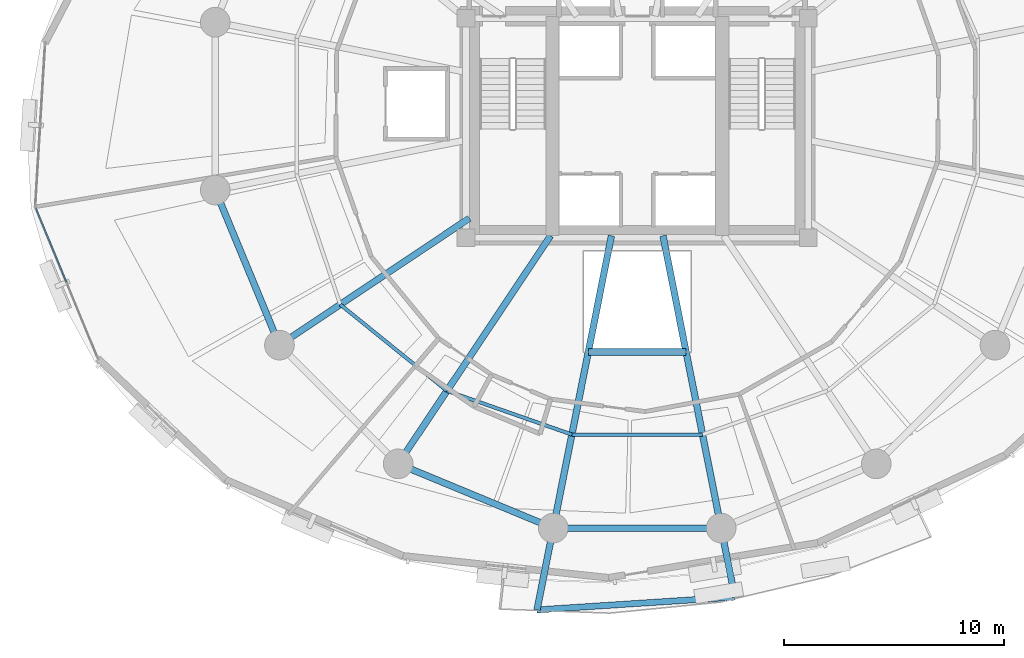
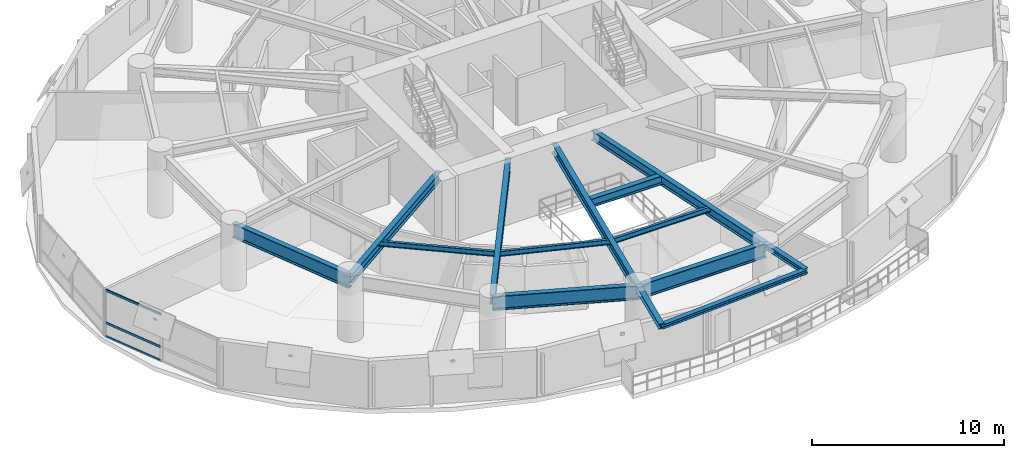
# One storey, part 3 of 17: 14 beams, 3 members, 1 element without a shape of its own.
"""IFC4 building model written with IfcOpenShell, lengths in metres."""

from ifc_helpers import new_model, si_unit, direction, frame, origin, origin_2d, place, context, subcontext, project, spatial, hollow_rectangle, i_section, extrude, material, layer, layer_set, material_profile, profile_set, type_object, element, aggregate, save


model = new_model("IFC4")

# Units and contexts
model_context = context("Model", 3, precision=1e-05, world=origin(), true_north=direction((0.0, 1.0)))
body_context = subcontext(model_context, "Body", "Model", "MODEL_VIEW")
ifc_project = project(units=[si_unit("LENGTHUNIT", "METRE"), si_unit("AREAUNIT", "SQUARE_METRE"), si_unit("VOLUMEUNIT", "CUBIC_METRE"), si_unit("PLANEANGLEUNIT", "RADIAN"), si_unit("MASSUNIT", "GRAM", prefix="KILO"), si_unit("THERMODYNAMICTEMPERATUREUNIT", "KELVIN"), si_unit("POWERUNIT", "WATT")], contexts=[model_context])

# Site, building, storey
site_placement = place(None, origin())
site = spatial("IfcSite", under=ifc_project, at=site_placement, CompositionType="ELEMENT")
building_placement = place(site_placement, origin())
building = spatial("IfcBuilding", under=site, at=building_placement, Name="Ocrelia Relay Tower", CompositionType="ELEMENT")
storey_placement = place(building_placement, frame((0.0, 0.0, 72.0)))
storey = spatial("IfcBuildingStorey", under=building, at=storey_placement, Name="L16", CompositionType="ELEMENT", Elevation=72.0)

# Beams
ifc_material_1 = material(Name="Steel S355", Category="steel")
ifc_material_profile_1 = material_profile(ifc_material_1, i_section(OverallWidth=0.280029296875, OverallDepth=0.27001953125, WebThickness=0.008056640625, FlangeThickness=0.012939453125, FilletRadius=0.02392578125, at=origin_2d()), Name="HEA 280")
ifc_profile_set_1 = profile_set([ifc_material_profile_1], Name="Steel S355")
beam_type_1 = type_object("IfcBeamType", Name="BM-HEA280", PredefinedType="BEAM", material=ifc_profile_set_1)
beam_1_placement = place(storey_placement, frame((29.4345703125, 3.048583984375, 3.784912109375), z_axis=(0.997895910722, 0.064836342925, 0.0), x_axis=(-0.064836342925, 0.997895910722, 0.0)))
element("IfcBeam", 1, at=beam_1_placement, inside=storey, type_object=beam_type_1, Name="L17 Balcony Edge Trimmer Beam B2", PredefinedType="BEAM", context=body_context, shape_type="SweptSolid", body=[
    extrude(i_section(OverallWidth=0.280029296875, OverallDepth=0.27001953125, WebThickness=0.008056640625, FlangeThickness=0.012939453125, FilletRadius=0.02392578125, at=origin_2d()), origin(), (0.0, 0.0, 1.0), 9.033447265625),
])
ifc_material_profile_2 = material_profile(ifc_material_1, i_section(OverallWidth=0.300048828125, OverallDepth=0.330078125, WebThickness=0.009521484375, FlangeThickness=0.0166015625, FilletRadius=0.027099609375, at=origin_2d()), Name="HEA 340")
ifc_profile_set_2 = profile_set([ifc_material_profile_2], Name="Steel S355")
beam_type_2 = type_object("IfcBeamType", Name="BM-HEA340", PredefinedType="BEAM", material=ifc_profile_set_2)
beam_2_placement = place(storey_placement, frame((30.17626953125, 6.776611328125, 3.7548828125), z_axis=(-0.195127896118, -0.980777805701, 0.0), x_axis=(0.980777805701, -0.195127896118, 0.0)))
element("IfcBeam", 2, at=beam_2_placement, inside=storey, type_object=beam_type_2, Name="L17 Balcony Cantilever Beam B2-1", PredefinedType="BEAM", context=body_context, shape_type="SweptSolid", body=[
    extrude(i_section(OverallWidth=0.300048828125, OverallDepth=0.330078125, WebThickness=0.009521484375, FlangeThickness=0.0166015625, FilletRadius=0.027099609375, at=origin_2d()), origin(), (0.0, 0.0, 1.0), 3.801025390625),
])
beam_3_placement = place(storey_placement, frame((37.82373046875, 6.776611328125, 3.7548828125), z_axis=(0.195148882518, -0.980773630178, 0.0), x_axis=(0.980773630178, 0.195148882518, 0.0)))
element("IfcBeam", 3, at=beam_3_placement, inside=storey, type_object=beam_type_2, Name="L17 Balcony Cantilever Beam B2-2", PredefinedType="BEAM", context=body_context, shape_type="SweptSolid", body=[
    extrude(i_section(OverallWidth=0.300048828125, OverallDepth=0.330078125, WebThickness=0.009521484375, FlangeThickness=0.0166015625, FilletRadius=0.027099609375, at=origin_2d()), origin(), (0.0, 0.0, 1.0), 3.203857421875),
])
ifc_material_profile_3 = material_profile(ifc_material_1, i_section(OverallWidth=0.300048828125, OverallDepth=0.550048828125, WebThickness=0.014892578125, FlangeThickness=0.029052734375, FilletRadius=0.027099609375, at=origin_2d()), Name="HEB 550")
ifc_profile_set_3 = profile_set([ifc_material_profile_3], Name="Steel S355")
beam_type_3 = type_object("IfcBeamType", Name="BM-HEB550", PredefinedType="BEAM", material=ifc_profile_set_3)
beam_4_placement = place(storey_placement, frame((31.772216796875, 14.800048828125, 3.64501953125), z_axis=(1.0, 0.0, 0.0), x_axis=(0.0, 1.0, 0.0)))
element("IfcBeam", 4, at=beam_4_placement, inside=storey, type_object=beam_type_3, Name="L16 Atrium South Trimmer Beam", PredefinedType="BEAM", context=body_context, shape_type="SweptSolid", body=[
    extrude(i_section(OverallWidth=0.300048828125, OverallDepth=0.550048828125, WebThickness=0.014892578125, FlangeThickness=0.029052734375, FilletRadius=0.027099609375, at=origin_2d()), origin(), (0.0, 0.0, 1.0), 4.45556640625),
])
ifc_material_profile_4 = material_profile(ifc_material_1, i_section(OverallWidth=0.300048828125, OverallDepth=0.60009765625, WebThickness=0.015380859375, FlangeThickness=0.030029296875, FilletRadius=0.027099609375, at=origin_2d()), Name="HEB 600")
ifc_profile_set_4 = profile_set([ifc_material_profile_4], Name="Steel S355")
beam_type_4 = type_object("IfcBeamType", Name="BM-HEB600", PredefinedType="BEAM", material=ifc_profile_set_4)
beam_5_placement = place(storey_placement, frame((17.703125, 15.11083984375, 3.6201171875), z_axis=(0.83146868639, 0.555571618743, 0.0), x_axis=(-0.555571618743, 0.83146868639, 0.0)))
element("IfcBeam", 5, at=beam_5_placement, inside=storey, type_object=beam_type_4, Name="L16 Radial Floor Girder R10", PredefinedType="BEAM", context=body_context, shape_type="SweptSolid", body=[
    extrude(i_section(OverallWidth=0.300048828125, OverallDepth=0.60009765625, WebThickness=0.015380859375, FlangeThickness=0.030029296875, FilletRadius=0.027099609375, at=origin_2d()), origin(), (0.0, 0.0, 1.0), 10.405517578125),
])
beam_6_placement = place(storey_placement, frame((23.11083984375, 9.703125, 3.6201171875), z_axis=(0.555569912646, 0.831469826369, 0.0), x_axis=(-0.831469826369, 0.555569912646, 0.0)))
element("IfcBeam", 6, at=beam_6_placement, inside=storey, type_object=beam_type_4, Name="L16 Radial Floor Girder R11", PredefinedType="BEAM", context=body_context, shape_type="SweptSolid", body=[
    extrude(i_section(OverallWidth=0.300048828125, OverallDepth=0.60009765625, WebThickness=0.015380859375, FlangeThickness=0.030029296875, FilletRadius=0.027099609375, at=origin_2d()), origin(), (0.0, 0.0, 1.0), 12.498046875),
])
for number, where, z_axis, x_axis, name in (
    (7, (30.17626953125, 6.776611328125, 3.6201171875), (0.195089155229, 0.980785512491, 0.0), (-0.980785512491, 0.195089155229, 0.0), "L16 Radial Floor Girder R12"),
    (8, (37.82373046875, 6.776611328125, 3.6201171875), (-0.195089155229, 0.980785512491, 0.0), (-0.980785512491, -0.195089155229, 0.0), "L16 Radial Floor Girder R13"),
):
    element("IfcBeam", number, at=place(storey_placement, frame(where, z_axis=z_axis, x_axis=x_axis)), inside=storey, type_object=beam_type_4, Name=name, PredefinedType="BEAM", context=body_context, shape_type="SweptSolid", body=[
        extrude(i_section(OverallWidth=0.300048828125, OverallDepth=0.60009765625, WebThickness=0.015380859375, FlangeThickness=0.030029296875, FilletRadius=0.027099609375, at=origin_2d()), origin(), (0.0, 0.0, 1.0), 13.579345703125),
    ])
ifc_material_profile_5 = material_profile(ifc_material_1, i_section(OverallWidth=0.300048828125, OverallDepth=0.89990234375, WebThickness=0.0185546875, FlangeThickness=0.034912109375, FilletRadius=0.030029296875, at=origin_2d()), Name="HEB 900")
ifc_profile_set_5 = profile_set([ifc_material_profile_5], Name="Steel S355")
beam_type_5 = type_object("IfcBeamType", Name="BM-HEB900", PredefinedType="BEAM", material=ifc_profile_set_5)
for number, where, z_axis, x_axis, name in (
    (9, (14.776611328125, 22.17626953125, 3.469970703125), (0.382674154222, -0.923883375589, 0.0), (0.923883375589, 0.382674154222, 0.0), "L16 Perimeter Spandrel Beam S09"),
    (10, (23.11083984375, 9.703125, 3.469970703125), (0.923883375589, -0.382674154222, 0.0), (0.382674154222, 0.923883375589, 0.0), "L16 Perimeter Spandrel Beam S11"),
    (11, (30.17626953125, 6.776611328125, 3.469970703125), (1.0, 0.0, 0.0), (0.0, 1.0, 0.0), "L16 Perimeter Spandrel Beam S12"),
):
    element("IfcBeam", number, at=place(storey_placement, frame(where, z_axis=z_axis, x_axis=x_axis)), inside=storey, type_object=beam_type_5, Name=name, PredefinedType="BEAM", context=body_context, shape_type="SweptSolid", body=[
        extrude(i_section(OverallWidth=0.300048828125, OverallDepth=0.89990234375, WebThickness=0.0185546875, FlangeThickness=0.034912109375, FilletRadius=0.030029296875, at=origin_2d()), origin(), (0.0, 0.0, 1.0), 7.6474609375),
    ])
ifc_material_profile_6 = material_profile(ifc_material_1, i_section(OverallWidth=0.159912109375, OverallDepth=0.330078125, WebThickness=0.007568359375, FlangeThickness=0.011474609375, FilletRadius=0.01806640625, at=origin_2d()), Name="IPE 330")
ifc_profile_set_6 = profile_set([ifc_material_profile_6], Name="Steel S355")
beam_type_6 = type_object("IfcBeamType", Name="BM-IPE330", PredefinedType="JOIST", material=ifc_profile_set_6)
beam_7_placement = place(storey_placement, frame((20.4716796875, 16.960693359375, 3.7548828125), z_axis=(0.77748215158, -0.628905003935, 0.0), x_axis=(0.628905003935, 0.77748215158, 0.0)))
element("IfcBeam", 12, at=beam_7_placement, inside=storey, type_object=beam_type_6, Name="L16 Secondary Floor Joist J10", PredefinedType="JOIST", context=body_context, shape_type="SweptSolid", body=[
    extrude(i_section(OverallWidth=0.159912109375, OverallDepth=0.330078125, WebThickness=0.007568359375, FlangeThickness=0.011474609375, FilletRadius=0.01806640625, at=origin_2d()), origin(), (0.0, 0.0, 1.0), 6.25244140625),
])
beam_8_placement = place(storey_placement, frame((25.332763671875, 13.028564453125, 3.7548828125), z_axis=(0.943957429675, -0.330067221882, 0.0), x_axis=(0.330067221882, 0.943957429675, 0.0)))
element("IfcBeam", 13, at=beam_8_placement, inside=storey, type_object=beam_type_6, Name="L16 Secondary Floor Joist J11", PredefinedType="JOIST", context=body_context, shape_type="SweptSolid", body=[
    extrude(i_section(OverallWidth=0.159912109375, OverallDepth=0.330078125, WebThickness=0.007568359375, FlangeThickness=0.011474609375, FilletRadius=0.01806640625, at=origin_2d()), origin(), (0.0, 0.0, 1.0), 6.029052734375),
])
beam_9_placement = place(storey_placement, frame((31.02392578125, 11.03857421875, 3.7548828125), z_axis=(1.0, 0.0, 0.0), x_axis=(0.0, 1.0, 0.0)))
element("IfcBeam", 14, at=beam_9_placement, inside=storey, type_object=beam_type_6, Name="L16 Secondary Floor Joist J12", PredefinedType="JOIST", context=body_context, shape_type="SweptSolid", body=[
    extrude(i_section(OverallWidth=0.159912109375, OverallDepth=0.330078125, WebThickness=0.007568359375, FlangeThickness=0.011474609375, FilletRadius=0.01806640625, at=origin_2d()), origin(), (0.0, 0.0, 1.0), 5.9521484375),
])

# Curtain wall, members
ifc_material_2 = material(Name="Aluminium and solar-control low-E glass", Category="aluminium")
ifc_layer = layer(ifc_material_2, 0.179931640625, Name="Aluminium and solar-control low-E glass")
ifc_layer_set = layer_set([ifc_layer], Name="Aluminium and solar-control low-E glass")
curtain_wall_type = type_object("IfcCurtainWallType", Name="CW-SYS-Z1-DATA", PredefinedType="NOTDEFINED", material=ifc_layer_set)
curtain_wall_placement = place(storey_placement, origin())
curtain_wall = element("IfcCurtainWall", 15, at=curtain_wall_placement, inside=storey, type_object=curtain_wall_type, Name="L16 Elliptical Tower Curtain Wall Bay 10", PredefinedType="NOTDEFINED")
ifc_material_3 = material(Name="Anodised bronze aluminium", Category="aluminium")
ifc_material_profile_7 = material_profile(ifc_material_3, hollow_rectangle(XDim=0.06494140625, YDim=0.139892578125, WallThickness=0.0048828125, at=origin_2d()), Name="CW-TRN-140x65")
ifc_profile_set_7 = profile_set([ifc_material_profile_7], Name="Anodised bronze aluminium")
member_type = type_object("IfcMemberType", Name="CW-SYS-Z1-DATA-TRN", PredefinedType="USERDEFINED", material=ifc_profile_set_7)
member_1_placement = place(storey_placement, frame((6.608154296875, 21.346923828125, 0.032470703125), z_axis=(0.382003518295, -0.924160869119, 0.0), x_axis=(0.924160869119, 0.382003518295, 0.0)))
member_1 = element("IfcMember", 16, at=member_1_placement, type_object=member_type, Name="CW-Z1 transom 1.1", ObjectType="TRANSOM", PredefinedType="USERDEFINED", context=body_context, shape_type="SweptSolid", body=[
    extrude(hollow_rectangle(XDim=0.06494140625, YDim=0.139892578125, WallThickness=0.0048828125, at=origin_2d()), origin(), (0.0, 0.0, 1.0), 3.632568359375),
])
member_2_placement = place(storey_placement, frame((6.608154296875, 21.346923828125, 0.89990234375), z_axis=(0.382003518295, -0.924160869119, 0.0), x_axis=(0.924160869119, 0.382003518295, 0.0)))
member_2 = element("IfcMember", 17, at=member_2_placement, type_object=member_type, Name="CW-Z1 transom 1.2", ObjectType="TRANSOM", PredefinedType="USERDEFINED", context=body_context, shape_type="SweptSolid", body=[
    extrude(hollow_rectangle(XDim=0.06494140625, YDim=0.139892578125, WallThickness=0.0048828125, at=origin_2d()), origin(), (0.0, 0.0, 1.0), 3.632568359375),
])
member_3_placement = place(storey_placement, frame((6.608154296875, 21.346923828125, 2.967529296875), z_axis=(0.382003518295, -0.924160869119, 0.0), x_axis=(0.924160869119, 0.382003518295, 0.0)))
member_3 = element("IfcMember", 18, at=member_3_placement, type_object=member_type, Name="CW-Z1 transom 1.3", ObjectType="TRANSOM", PredefinedType="USERDEFINED", context=body_context, shape_type="SweptSolid", body=[
    extrude(hollow_rectangle(XDim=0.06494140625, YDim=0.139892578125, WallThickness=0.0048828125, at=origin_2d()), origin(), (0.0, 0.0, 1.0), 3.632568359375),
])
aggregate(curtain_wall, [member_1, member_2, member_3])

save(model, "model.ifc")
